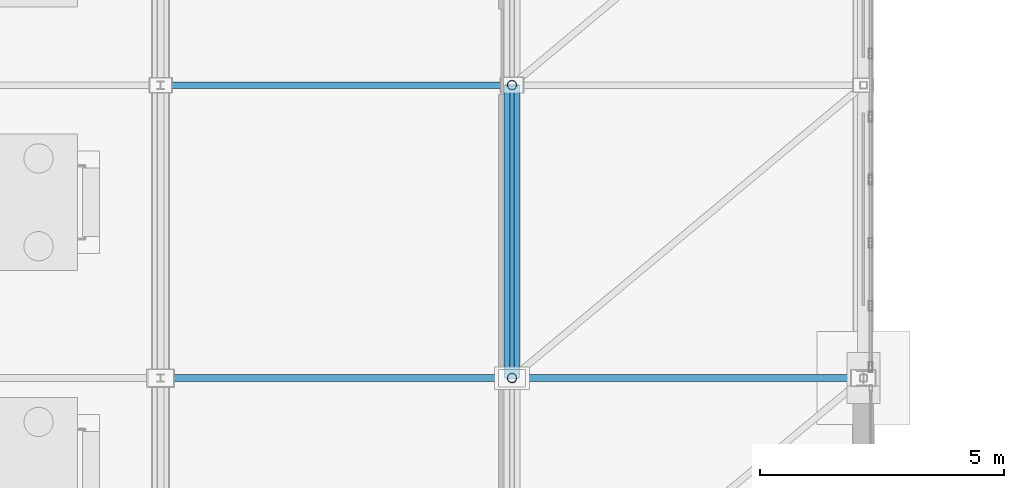
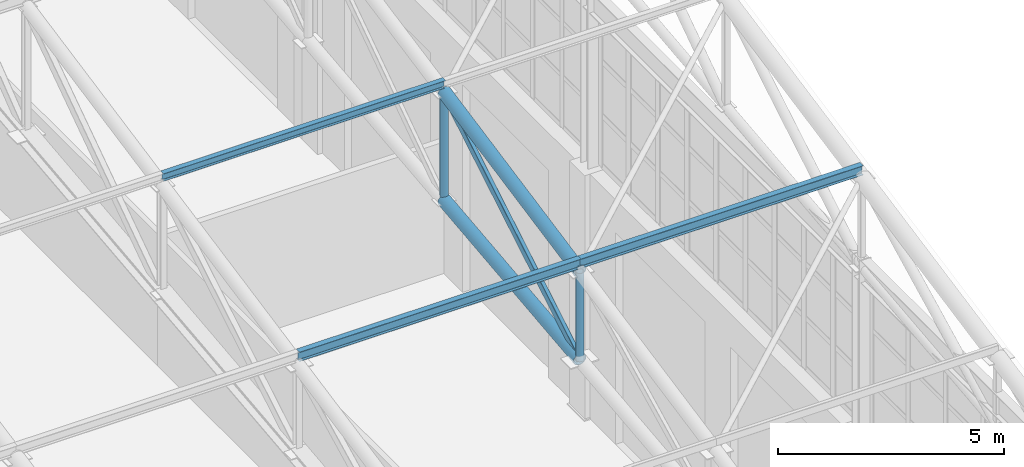
# One storey, part 184 of 293: 8 members.
"""IFC4 building model written with IfcOpenShell, lengths in metres."""

from ifc_helpers import new_model, si_unit, direction, frame, origin, origin_2d, place, context, subcontext, project, spatial, hollow_rectangle, hollow_circle, i_section, extrude, material, material_profile, profile_set, type_object, element, save


model = new_model("IFC4")

# Units and contexts
model_context = context("Model", 3, precision=1e-05, world=origin(), true_north=direction((0.0, 1.0)))
body_context = subcontext(model_context, "Body", "Model", "MODEL_VIEW")
ifc_project = project(units=[si_unit("LENGTHUNIT", "METRE"), si_unit("AREAUNIT", "SQUARE_METRE"), si_unit("VOLUMEUNIT", "CUBIC_METRE"), si_unit("PLANEANGLEUNIT", "RADIAN"), si_unit("MASSUNIT", "GRAM", prefix="KILO")], contexts=[model_context])

# Site, building, storey
site_placement = place(None, origin())
site = spatial("IfcSite", under=ifc_project, at=site_placement, CompositionType="ELEMENT")
building_placement = place(site_placement, origin())
building = spatial("IfcBuilding", under=site, at=building_placement, Name="Kemerveld Promenade Tramway Depot", CompositionType="ELEMENT")
storey_placement = place(building_placement, origin())
storey = spatial("IfcBuildingStorey", under=building, at=storey_placement, Name="L00", CompositionType="ELEMENT", Elevation=0.0)

# Members
ifc_material = material(Name="Steel S355", Category="steel")
ifc_material_profile_1 = material_profile(ifc_material, hollow_rectangle(XDim=0.10009765625, YDim=0.199951171875, WallThickness=0.008056640625, InnerFilletRadius=0.00390625, OuterFilletRadius=0.011962890625, at=origin_2d()), Name="200x100x8.0 RHS")
ifc_profile_set_1 = profile_set([ifc_material_profile_1], Name="Steel S355")
member_type_1 = type_object("IfcMemberType", Name="MB-M03", PredefinedType="BRACE", material=ifc_profile_set_1)
member_1_placement = place(storey_placement, frame((180.0, 96.0, 11.1201171875), z_axis=(0.0, 0.8587636701, 0.512371895128), x_axis=(-1.0, 0.0, 0.0)))
element("IfcMember", 1, at=member_1_placement, inside=storey, type_object=member_type_1, Name="TR-26-DG-03", PredefinedType="BRACE", context=body_context, shape_type="SweptSolid", body=[
    extrude(hollow_rectangle(XDim=0.10009765625, YDim=0.199951171875, WallThickness=0.008056640625, InnerFilletRadius=0.00390625, OuterFilletRadius=0.011962890625, at=origin_2d()), origin(), (0.0, 0.0, 1.0), 6.98681640625),
])
ifc_material_profile_2 = material_profile(ifc_material, i_section(OverallWidth=0.146484375, OverallDepth=0.256103515625, WebThickness=0.00634765625, FlangeThickness=0.010986328125, FilletRadius=0.007568359375, at=origin_2d()), Name="254x146x37 UB")
ifc_profile_set_2 = profile_set([ifc_material_profile_2], Name="Steel S355")
member_type_2 = type_object("IfcMemberType", Name="MB-PR3", PredefinedType="PURLIN", material=ifc_profile_set_2)
for number, where, z_axis, x_axis, name in (
    (2, (172.800048828125, 96.0, 13.7451171875), (1.0, 0.0, 0.0), (0.0, 1.0, 0.0), "PUR-V1-02-25"),
    (3, (180.0, 96.0, 13.7451171875), (1.0, 0.0, 0.0), (0.0, 1.0, 0.0), "PUR-V1-02-26"),
):
    element("IfcMember", number, at=place(storey_placement, frame(where, z_axis=z_axis, x_axis=x_axis)), inside=storey, type_object=member_type_2, Name=name, PredefinedType="PURLIN", context=body_context, shape_type="SweptSolid", body=[
        extrude(i_section(OverallWidth=0.146484375, OverallDepth=0.256103515625, WebThickness=0.00634765625, FlangeThickness=0.010986328125, FilletRadius=0.007568359375, at=origin_2d()), origin(), (0.0, 0.0, 1.0), 7.199951171875),
    ])
ifc_material_profile_3 = material_profile(ifc_material, i_section(OverallWidth=0.13330078125, OverallDepth=0.203125, WebThickness=0.005615234375, FlangeThickness=0.0078125, FilletRadius=0.007568359375, at=origin_2d()), Name="203x133x25 UB")
ifc_profile_set_3 = profile_set([ifc_material_profile_3], Name="Steel S355")
member_type_3 = type_object("IfcMemberType", Name="MB-PR4", PredefinedType="PURLIN", material=ifc_profile_set_3)
member_2_placement = place(storey_placement, frame((172.800048828125, 102.0, 14.945068359375), z_axis=(1.0, 0.0, 0.0), x_axis=(0.0, 1.0, 0.0)))
element("IfcMember", 4, at=member_2_placement, inside=storey, type_object=member_type_3, Name="PUR-V1-03-25", PredefinedType="PURLIN", context=body_context, shape_type="SweptSolid", body=[
    extrude(i_section(OverallWidth=0.13330078125, OverallDepth=0.203125, WebThickness=0.005615234375, FlangeThickness=0.0078125, FilletRadius=0.007568359375, at=origin_2d()), origin(), (0.0, 0.0, 1.0), 7.199951171875),
])
ifc_material_profile_4 = material_profile(ifc_material, hollow_circle(Radius=0.161865234375, WallThickness=0.012451171875, at=origin_2d()), Name="323.9x12.5 CHS")
ifc_profile_set_4 = profile_set([ifc_material_profile_4], Name="Steel S355")
member_type_4 = type_object("IfcMemberType", Name="MB-TC2", PredefinedType="CHORD", material=ifc_profile_set_4)
member_3_placement = place(storey_placement, frame((180.0, 96.0, 13.5), z_axis=(0.0, 0.980582210276, 0.196108462057), x_axis=(-1.0, 0.0, 0.0)))
element("IfcMember", 5, at=member_3_placement, inside=storey, type_object=member_type_4, Name="TR-26-TC-03", PredefinedType="CHORD", context=body_context, shape_type="SweptSolid", body=[
    extrude(hollow_circle(Radius=0.161865234375, WallThickness=0.012451171875, at=origin_2d()), origin(), (0.0, 0.0, 1.0), 6.118896484375),
])
member_4_placement = place(storey_placement, frame((180.0, 96.0, 11.1201171875), z_axis=(0.0, 0.994005938353, 0.109326092585), x_axis=(-1.0, 0.0, 0.0)))
element("IfcMember", 6, at=member_4_placement, inside=storey, type_object=member_type_4, Name="TR-26-BC-03", PredefinedType="CHORD", context=body_context, shape_type="SweptSolid", body=[
    extrude(hollow_circle(Radius=0.161865234375, WallThickness=0.012451171875, at=origin_2d()), origin(), (0.0, 0.0, 1.0), 6.0361328125),
])
ifc_material_profile_5 = material_profile(ifc_material, hollow_circle(Radius=0.096923828125, WallThickness=0.008056640625, at=origin_2d()), Name="193.7x8.0 CHS")
ifc_profile_set_5 = profile_set([ifc_material_profile_5], Name="Steel S355")
member_type_5 = type_object("IfcMemberType", Name="MB-TP1", PredefinedType="POST", material=ifc_profile_set_5)
member_5_placement = place(storey_placement, frame((180.0, 96.0, 11.1201171875), z_axis=(0.0, 0.0, 1.0), x_axis=(1.0, 0.0, 0.0)))
element("IfcMember", 7, at=member_5_placement, inside=storey, type_object=member_type_5, Name="TR-26-VT-02", PredefinedType="POST", context=body_context, shape_type="SweptSolid", body=[
    extrude(hollow_circle(Radius=0.096923828125, WallThickness=0.008056640625, at=origin_2d()), origin(), (0.0, 0.0, 1.0), 2.3798828125),
])
member_6_placement = place(storey_placement, frame((180.0, 102.0, 11.780029296875), z_axis=(0.0, 0.0, 1.0), x_axis=(1.0, 0.0, 0.0)))
element("IfcMember", 8, at=member_6_placement, inside=storey, type_object=member_type_5, Name="TR-26-VT-03", PredefinedType="POST", context=body_context, shape_type="SweptSolid", body=[
    extrude(hollow_circle(Radius=0.096923828125, WallThickness=0.008056640625, at=origin_2d()), origin(), (0.0, 0.0, 1.0), 2.919921875),
])

save(model, "model.ifc")
